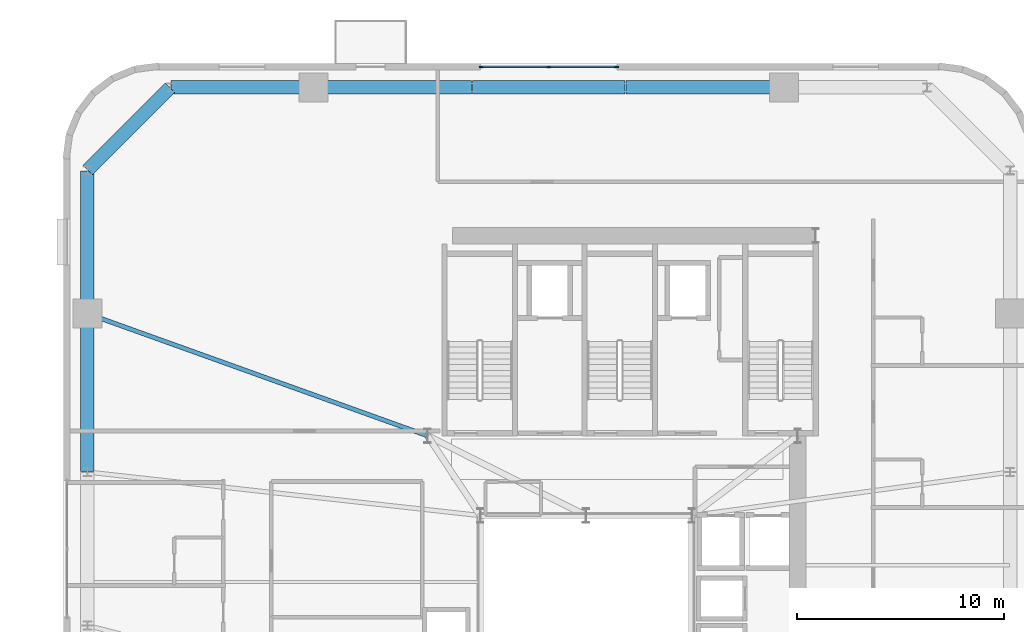
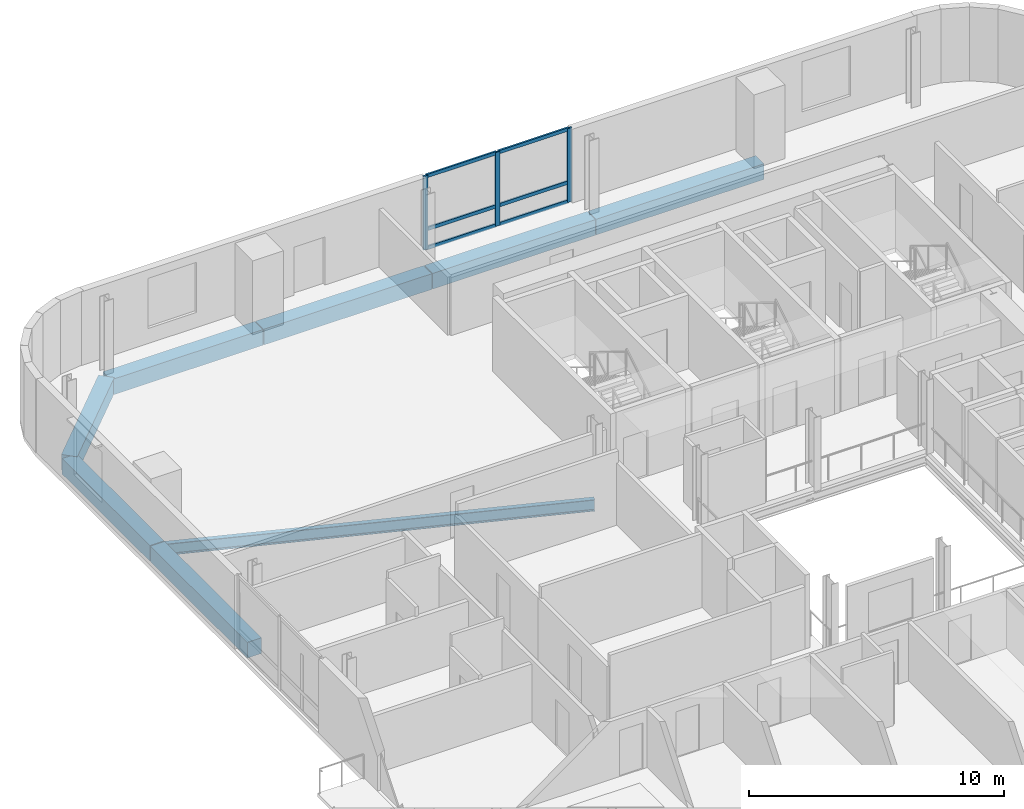
# One storey, part 5 of 12: 9 members, 8 beams, 1 element without a shape of its own.
"""IFC4 building model written with IfcOpenShell, lengths in metres."""

from ifc_helpers import new_model, si_unit, direction, frame, origin, origin_2d, place, context, subcontext, project, spatial, rectangle, i_section, extrude, source, transform, mapped, material, material_profile, profile_set, type_object, element, aggregate, save


model = new_model("IFC4")

# Units and contexts
model_context = context("Model", 3, precision=1e-05, world=origin(), true_north=direction((0.0, 1.0)))
body_context = subcontext(model_context, "Body", "Model", "MODEL_VIEW")
ifc_project = project(units=[si_unit("LENGTHUNIT", "METRE"), si_unit("AREAUNIT", "SQUARE_METRE"), si_unit("VOLUMEUNIT", "CUBIC_METRE"), si_unit("PLANEANGLEUNIT", "RADIAN"), si_unit("MASSUNIT", "GRAM", prefix="KILO")], contexts=[model_context])

# Site, building, storey
site_placement = place(None, origin())
site = spatial("IfcSite", under=ifc_project, at=site_placement, CompositionType="ELEMENT")
building_placement = place(site_placement, origin())
building = spatial("IfcBuilding", under=site, at=building_placement, Name="Vardaveli Station Tower", CompositionType="ELEMENT")
storey_placement = place(building_placement, frame((0.0, 0.0, 214.800048828125)))
storey = spatial("IfcBuildingStorey", under=building, at=storey_placement, Name="L55", CompositionType="ELEMENT", Elevation=214.800048828125)

# Beams
ifc_material_1 = material(Name="Precast concrete C45/55", Category="concrete")
ifc_material_profile_1 = material_profile(ifc_material_1, rectangle(XDim=0.64990234375, YDim=0.75, at=origin_2d()), Name="LPB 650x750")
ifc_profile_set_1 = profile_set([ifc_material_profile_1], Name="Precast concrete C45/55")
beam_type_1 = type_object("IfcBeamType", Name="BM-LPB-750", PredefinedType="BEAM", material=ifc_profile_set_1)
shared_shape_1 = source(origin(), body_context, "Body", "SweptSolid", [
    extrude(rectangle(XDim=0.64990234375, YDim=0.75, at=origin_2d()), origin(), (0.0, 0.0, 1.0), 7.60009765625),
])
for number, where, z_axis, x_axis, name in (
    (1, (45.820068359375, 47.449951171875, -0.594970703125), (-1.0, 0.0, 0.0), (0.0, -1.0, 0.0), "RBM-L55-13"),
    (2, (30.780029296875, 47.449951171875, -0.594970703125), (-1.0, 0.0, 0.0), (0.0, -1.0, 0.0), "RBM-L55-15"),
    (3, (12.25, 36.52001953125, -0.594970703125), (0.0, -1.0, 0.0), (1.0, 0.0, 0.0), "RBM-L55-19"),
):
    element("IfcBeam", number, at=place(storey_placement, frame(where, z_axis=z_axis, x_axis=x_axis)), inside=storey, type_object=beam_type_1, Name=name, PredefinedType="BEAM", context=body_context, shape_type="MappedRepresentation", body=[
        mapped(shared_shape_1, transform((0.0, 0.0, 0.0), scale=1.0)),
    ])
shared_shape_2 = source(origin(), body_context, "Body", "SweptSolid", [
    extrude(rectangle(XDim=0.64990234375, YDim=0.75, at=origin_2d()), origin(), (0.0, 0.0, 1.0), 7.35986328125),
])
beam_1_placement = place(storey_placement, frame((38.179931640625, 47.449951171875, -0.594970703125), z_axis=(-1.0, 0.0, 0.0), x_axis=(0.0, -1.0, 0.0)))
element("IfcBeam", 4, at=beam_1_placement, inside=storey, type_object=beam_type_1, Name="RBM-L55-14", PredefinedType="BEAM", context=body_context, shape_type="MappedRepresentation", body=[
    mapped(shared_shape_2, transform((0.0, 0.0, 0.0), scale=1.0)),
])
shared_shape_3 = source(origin(), body_context, "Body", "SweptSolid", [
    extrude(rectangle(XDim=0.64990234375, YDim=0.75, at=origin_2d()), origin(), (0.0, 0.0, 1.0), 6.869873046875),
])
for number, where, z_axis, x_axis, name in (
    (5, (23.139892578125, 47.449951171875, -0.594970703125), (-1.0, 0.0, 0.0), (0.0, -1.0, 0.0), "RBM-L55-16"),
    (6, (12.25, 43.429931640625, -0.594970703125), (0.0, -1.0, 0.0), (1.0, 0.0, 0.0), "RBM-L55-18"),
):
    element("IfcBeam", number, at=place(storey_placement, frame(where, z_axis=z_axis, x_axis=x_axis)), inside=storey, type_object=beam_type_1, Name=name, PredefinedType="BEAM", context=body_context, shape_type="MappedRepresentation", body=[
        mapped(shared_shape_3, transform((0.0, 0.0, 0.0), scale=1.0)),
    ])
shared_shape_4 = source(origin(), body_context, "Body", "SweptSolid", [
    extrude(rectangle(XDim=0.64990234375, YDim=0.75, at=origin_2d()), origin(), (0.0, 0.0, 1.0), 5.61669921875),
])
beam_2_placement = place(storey_placement, frame((16.23583984375, 47.435791015625, -0.594970703125), z_axis=(-0.707106781187, -0.707106781187, 0.0), x_axis=(0.707106781187, -0.707106781187, 0.0)))
element("IfcBeam", 7, at=beam_2_placement, inside=storey, type_object=beam_type_1, Name="RBM-L55-17", PredefinedType="BEAM", context=body_context, shape_type="MappedRepresentation", body=[
    mapped(shared_shape_4, transform((0.0, 0.0, 0.0), scale=1.0)),
])
ifc_material_2 = material(Name="Structural steel S355J2", Category="steel")
ifc_material_profile_2 = material_profile(ifc_material_2, i_section(OverallWidth=0.2099609375, OverallDepth=0.550048828125, WebThickness=0.010986328125, FlangeThickness=0.01708984375, FilletRadius=0.02392578125, at=origin_2d()), Name="IPE 550")
ifc_profile_set_2 = profile_set([ifc_material_profile_2], Name="Structural steel S355J2")
beam_type_2 = type_object("IfcBeamType", Name="BM-IPE550", PredefinedType="BEAM", material=ifc_profile_set_2)
shared_shape_5 = source(origin(), body_context, "Body", "SweptSolid", [
    extrude(i_section(OverallWidth=0.2099609375, OverallDepth=0.550048828125, WebThickness=0.010986328125, FlangeThickness=0.01708984375, FilletRadius=0.02392578125, at=origin_2d()), origin(), (0.0, 0.0, 1.0), 17.385498046875),
])
beam_3_placement = place(storey_placement, frame((12.268798828125, 36.533203125, -0.4951171875), z_axis=(0.941143134401, -0.338008284766, 0.0), x_axis=(0.338008284766, 0.941143134401, 0.0)))
element("IfcBeam", 8, at=beam_3_placement, inside=storey, type_object=beam_type_2, Name="GBM-L55-12", PredefinedType="BEAM", context=body_context, shape_type="MappedRepresentation", body=[
    mapped(shared_shape_5, transform((0.0, 0.0, 0.0), scale=1.0)),
])

# Curtain wall, members
ifc_material_3 = material(Name="Travertine stone and solar-control glass", Category="masonry")
curtain_wall_type = type_object("IfcCurtainWallType", Name="CW-SYS-5", PredefinedType="NOTDEFINED", material=ifc_material_3)
curtain_wall_placement = place(storey_placement, origin())
curtain_wall = element("IfcCurtainWall", 9, at=curtain_wall_placement, inside=storey, type_object=curtain_wall_type, Name="CW-L55-N", PredefinedType="NOTDEFINED")
ifc_material_4 = material(Name="Anodised aluminium alloy 6063-T6", Category="aluminium")
ifc_material_profile_3 = material_profile(ifc_material_4, rectangle(XDim=0.080078125, YDim=0.1650390625, at=origin_2d()), Name="CWT 80x165")
ifc_profile_set_3 = profile_set([ifc_material_profile_3], Name="Anodised aluminium alloy 6063-T6")
member_type_1 = type_object("IfcMemberType", Name="CW-SYS-5-TRAN", PredefinedType="NOTDEFINED", material=ifc_profile_set_3)
shared_shape_6 = source(origin(), body_context, "Body", "SweptSolid", [
    extrude(rectangle(XDim=0.080078125, YDim=0.1650390625, at=origin_2d()), origin(), (0.0, 0.0, 1.0), 3.179931640625),
])
member_1_placement = place(storey_placement, frame((37.719970703125, 48.43994140625, 0.0400390625), z_axis=(-1.0, 0.0, 0.0), x_axis=(0.0, -1.0, 0.0)))
member_1 = element("IfcMember", 10, at=member_1_placement, type_object=member_type_1, Name="CW-5 transom 1.1", ObjectType="TRANSOM", PredefinedType="USERDEFINED", context=body_context, shape_type="MappedRepresentation", body=[
    mapped(shared_shape_6, transform((0.0, 0.0, 0.0), scale=1.0)),
])
member_2_placement = place(storey_placement, frame((37.719970703125, 48.43994140625, 0.949951171875), z_axis=(-1.0, 0.0, 0.0), x_axis=(0.0, -1.0, 0.0)))
member_2 = element("IfcMember", 11, at=member_2_placement, type_object=member_type_1, Name="CW-5 transom 1.2", ObjectType="TRANSOM", PredefinedType="USERDEFINED", context=body_context, shape_type="MappedRepresentation", body=[
    mapped(shared_shape_6, transform((0.0, 0.0, 0.0), scale=1.0)),
])
member_3_placement = place(storey_placement, frame((37.719970703125, 48.43994140625, 3.489990234375), z_axis=(-1.0, 0.0, 0.0), x_axis=(0.0, -1.0, 0.0)))
member_3 = element("IfcMember", 12, at=member_3_placement, type_object=member_type_1, Name="CW-5 transom 1.3", ObjectType="TRANSOM", PredefinedType="USERDEFINED", context=body_context, shape_type="MappedRepresentation", body=[
    mapped(shared_shape_6, transform((0.0, 0.0, 0.0), scale=1.0)),
])
member_4_placement = place(storey_placement, frame((34.4599609375, 48.43994140625, 0.0400390625), z_axis=(-1.0, 0.0, 0.0), x_axis=(0.0, -1.0, 0.0)))
member_4 = element("IfcMember", 13, at=member_4_placement, type_object=member_type_1, Name="CW-5 transom 2.1", ObjectType="TRANSOM", PredefinedType="USERDEFINED", context=body_context, shape_type="MappedRepresentation", body=[
    mapped(shared_shape_6, transform((0.0, 0.0, 0.0), scale=1.0)),
])
member_5_placement = place(storey_placement, frame((34.4599609375, 48.43994140625, 0.949951171875), z_axis=(-1.0, 0.0, 0.0), x_axis=(0.0, -1.0, 0.0)))
member_5 = element("IfcMember", 14, at=member_5_placement, type_object=member_type_1, Name="CW-5 transom 2.2", ObjectType="TRANSOM", PredefinedType="USERDEFINED", context=body_context, shape_type="MappedRepresentation", body=[
    mapped(shared_shape_6, transform((0.0, 0.0, 0.0), scale=1.0)),
])
member_6_placement = place(storey_placement, frame((34.4599609375, 48.43994140625, 3.489990234375), z_axis=(-1.0, 0.0, 0.0), x_axis=(0.0, -1.0, 0.0)))
member_6 = element("IfcMember", 15, at=member_6_placement, type_object=member_type_1, Name="CW-5 transom 2.3", ObjectType="TRANSOM", PredefinedType="USERDEFINED", context=body_context, shape_type="MappedRepresentation", body=[
    mapped(shared_shape_6, transform((0.0, 0.0, 0.0), scale=1.0)),
])
ifc_material_profile_4 = material_profile(ifc_material_4, rectangle(XDim=0.080078125, YDim=0.205078125, at=origin_2d()), Name="CWM 80x205")
ifc_profile_set_4 = profile_set([ifc_material_profile_4], Name="Anodised aluminium alloy 6063-T6")
member_type_2 = type_object("IfcMemberType", Name="CW-SYS-5-MULL", PredefinedType="MULLION", material=ifc_profile_set_4)
shared_shape_7 = source(origin(), body_context, "Body", "SweptSolid", [
    extrude(rectangle(XDim=0.080078125, YDim=0.205078125, at=origin_2d()), origin(), (0.0, 0.0, 1.0), 3.530029296875),
])
member_7_placement = place(storey_placement, frame((37.760009765625, 48.43994140625, 0.0), z_axis=(0.0, 0.0, 1.0), x_axis=(0.0, -1.0, 0.0)))
member_7 = element("IfcMember", 16, at=member_7_placement, type_object=member_type_2, Name="CW-5 mullion 1", PredefinedType="MULLION", context=body_context, shape_type="MappedRepresentation", body=[
    mapped(shared_shape_7, transform((0.0, 0.0, 0.0), scale=1.0)),
])
member_8_placement = place(storey_placement, frame((34.5, 48.43994140625, 0.0), z_axis=(0.0, 0.0, 1.0), x_axis=(0.0, -1.0, 0.0)))
member_8 = element("IfcMember", 17, at=member_8_placement, type_object=member_type_2, Name="CW-5 mullion 2", PredefinedType="MULLION", context=body_context, shape_type="MappedRepresentation", body=[
    mapped(shared_shape_7, transform((0.0, 0.0, 0.0), scale=1.0)),
])
member_9_placement = place(storey_placement, frame((31.239990234375, 48.43994140625, 0.0), z_axis=(0.0, 0.0, 1.0), x_axis=(0.0, -1.0, 0.0)))
member_9 = element("IfcMember", 18, at=member_9_placement, type_object=member_type_2, Name="CW-5 mullion 3", PredefinedType="MULLION", context=body_context, shape_type="MappedRepresentation", body=[
    mapped(shared_shape_7, transform((0.0, 0.0, 0.0), scale=1.0)),
])
aggregate(curtain_wall, [member_7, member_8, member_9, member_1, member_2, member_3, member_4, member_5, member_6])

save(model, "model.ifc")
